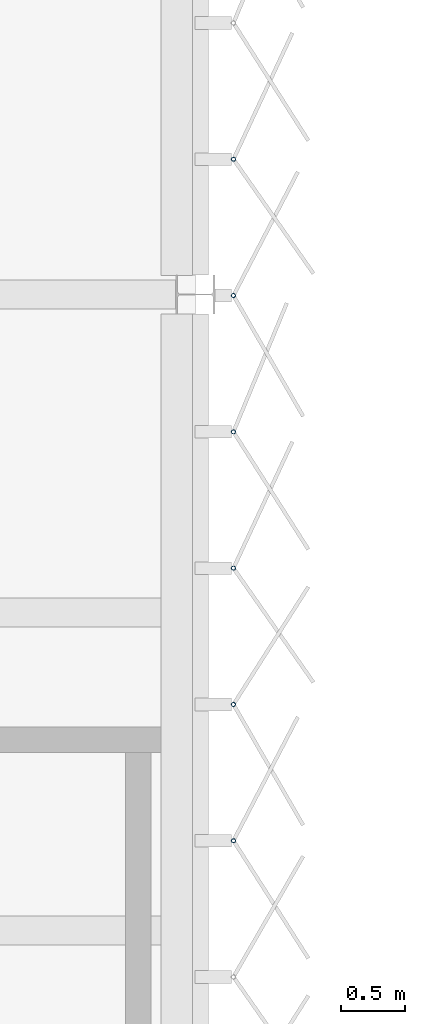
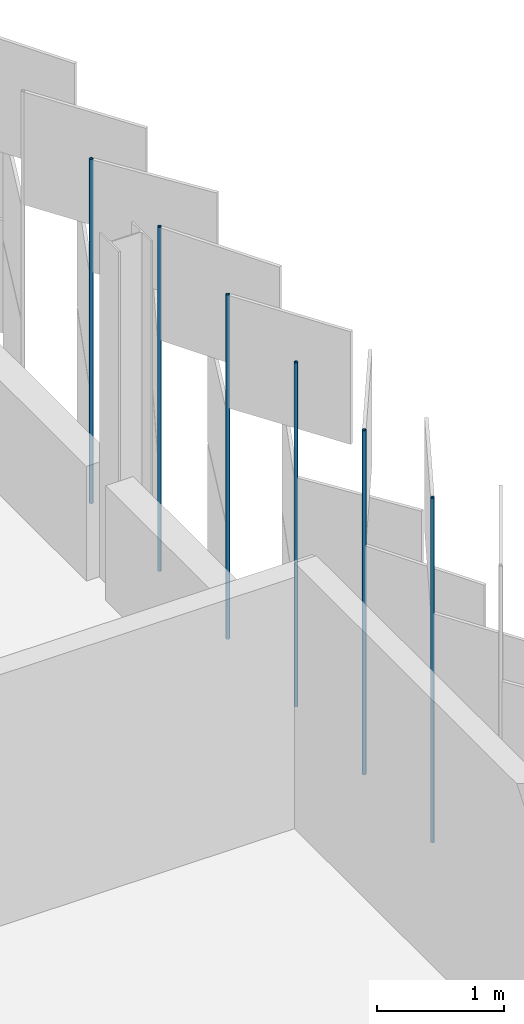
# One storey, part 93 of 198: 6 discrete accessories.
"""IFC4 building model written with IfcOpenShell, lengths in metres."""

from ifc_helpers import new_model, si_unit, direction, frame, origin, origin_2d, place, context, subcontext, project, spatial, hollow_circle, extrude, material, material_profile, profile_set, type_object, element, save


model = new_model("IFC4")

# Units and contexts
model_context = context("Model", 3, precision=1e-05, world=origin(), true_north=direction((0.0, 1.0)))
body_context = subcontext(model_context, "Body", "Model", "MODEL_VIEW")
ifc_project = project(units=[si_unit("LENGTHUNIT", "METRE"), si_unit("AREAUNIT", "SQUARE_METRE"), si_unit("VOLUMEUNIT", "CUBIC_METRE"), si_unit("PLANEANGLEUNIT", "RADIAN"), si_unit("MASSUNIT", "GRAM", prefix="KILO")], contexts=[model_context])

# Site, building, storey
site_placement = place(None, origin())
site = spatial("IfcSite", under=ifc_project, at=site_placement, CompositionType="ELEMENT")
building_placement = place(site_placement, origin())
building = spatial("IfcBuilding", under=site, at=building_placement, Name="Parallax Yard Mobility Hub", CompositionType="ELEMENT")
storey_placement = place(building_placement, frame((0.0, 0.0, 6.60009765625)))
storey = spatial("IfcBuildingStorey", under=building, at=storey_placement, Name="L02", CompositionType="ELEMENT", Elevation=6.60009765625)

# Discrete accessories
ifc_material = material(Name="Steel ASTM A500 Gr C, hot-dip galvanised", Category="steel")
ifc_material_profile = material_profile(ifc_material, hollow_circle(Radius=0.016845703125, WallThickness=0.003173828125, at=origin_2d()), Name="CHS 33.7x3.2")
ifc_profile_set = profile_set([ifc_material_profile], Name="Steel ASTM A500 Gr C, hot-dip galvanised")
discrete_accessory_type = type_object("IfcDiscreteAccessoryType", Name="Hinge post CHS 33.7x3.2", PredefinedType="BRACKET", material=ifc_profile_set)
for number, where, z_axis, x_axis, name in (
    (1, (225.300048828125, 48.204833984375, 0.0), (0.0, 0.0, 1.0), (1.0, 0.0, 0.0), "Hinge post bay 35.4 level L02"),
    (2, (225.300048828125, 49.276611328125, 0.0), (0.0, 0.0, 1.0), (1.0, 0.0, 0.0), "Hinge post bay 35.5 level L02"),
    (3, (225.300048828125, 50.348388671875, 0.0), (0.0, 0.0, 1.0), (1.0, 0.0, 0.0), "Hinge post bay 35.6 level L02"),
    (4, (225.300048828125, 51.420166015625, 0.0), (0.0, 0.0, 1.0), (1.0, 0.0, 0.0), "Hinge post bay 35.7 level L02"),
    (5, (225.300048828125, 52.491943359375, 0.0), (0.0, 0.0, 1.0), (1.0, 0.0, 0.0), "Hinge post bay 36.1 level L02"),
    (6, (225.300048828125, 53.563720703125, 0.0), (0.0, 0.0, 1.0), (1.0, 0.0, 0.0), "Hinge post bay 36.2 level L02"),
):
    element("IfcDiscreteAccessory", number, at=place(storey_placement, frame(where, z_axis=z_axis, x_axis=x_axis)), inside=storey, type_object=discrete_accessory_type, Name=name, PredefinedType="BRACKET", context=body_context, shape_type="SweptSolid", body=[
        extrude(hollow_circle(Radius=0.016845703125, WallThickness=0.003173828125, at=origin_2d()), origin(), (0.0, 0.0, 1.0), 3.2998046875),
    ])

save(model, "model.ifc")
